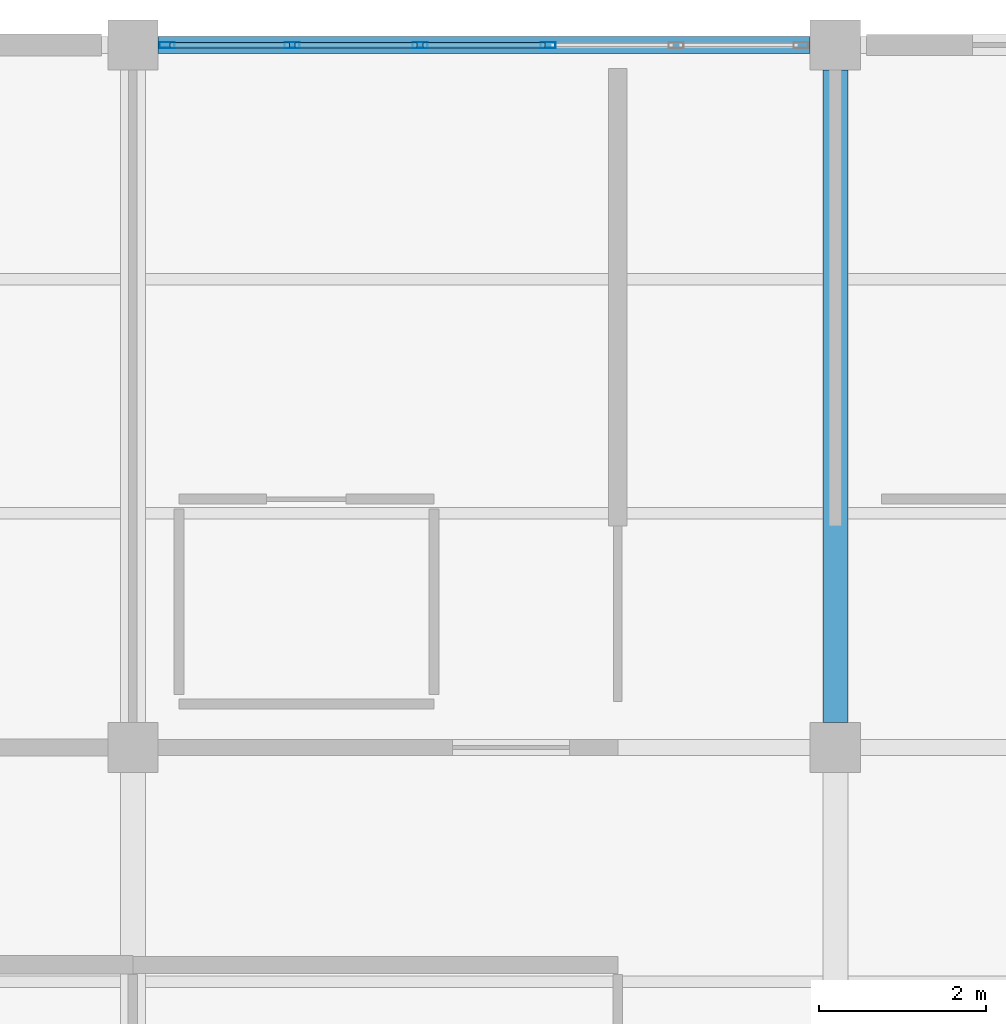
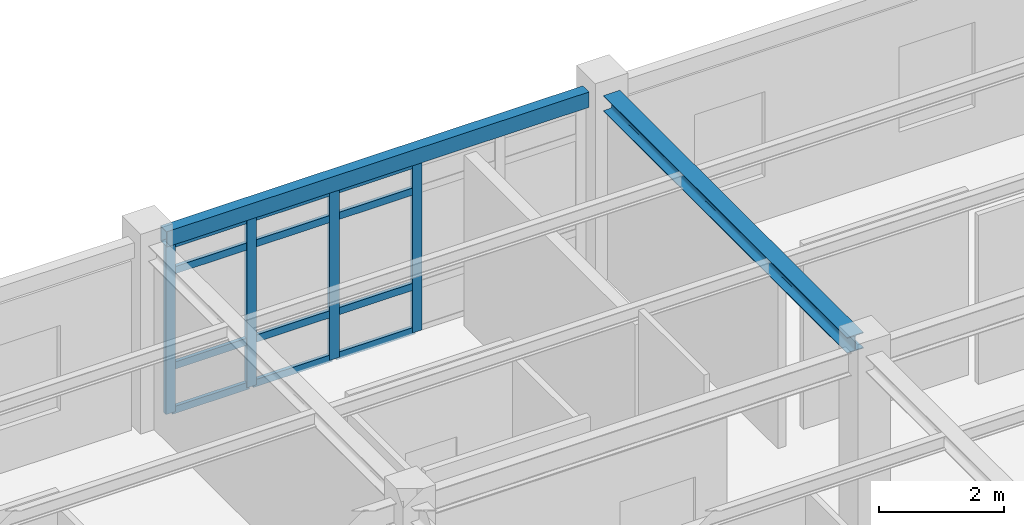
# One storey, part 26 of 70: 16 members, 2 beams, 1 element without a shape of its own.
"""IFC4 building model written with IfcOpenShell, lengths in metres."""

from ifc_helpers import new_model, si_unit, direction, frame, origin, origin_2d, place, context, subcontext, project, spatial, hollow_rectangle, i_section, extrude, material, layer, layer_set, material_profile, profile_set, type_object, element, aggregate, save


model = new_model("IFC4")

# Units and contexts
model_context = context("Model", 3, precision=1e-05, world=origin(), true_north=direction((0.0, 1.0)))
body_context = subcontext(model_context, "Body", "Model", "MODEL_VIEW")
ifc_project = project(units=[si_unit("LENGTHUNIT", "METRE"), si_unit("AREAUNIT", "SQUARE_METRE"), si_unit("VOLUMEUNIT", "CUBIC_METRE"), si_unit("PLANEANGLEUNIT", "RADIAN"), si_unit("MASSUNIT", "GRAM", prefix="KILO")], contexts=[model_context])

# Site, building, storey
site_placement = place(None, origin())
site = spatial("IfcSite", under=ifc_project, at=site_placement, CompositionType="ELEMENT")
building_placement = place(site_placement, origin())
building = spatial("IfcBuilding", under=site, at=building_placement, Name="Bramfleet General Hospital", CompositionType="ELEMENT")
storey_placement = place(building_placement, frame((0.0, 0.0, 22.5)))
storey = spatial("IfcBuildingStorey", under=building, at=storey_placement, Name="L05", CompositionType="ELEMENT", Elevation=22.5)

# Beams
ifc_material_1 = material(Name="Steel S355", Category="steel")
ifc_material_profile_1 = material_profile(ifc_material_1, i_section(OverallWidth=0.300048828125, OverallDepth=0.31005859375, WebThickness=0.009033203125, FlangeThickness=0.015380859375, FilletRadius=0.027099609375, at=origin_2d()), Name="HEA 320")
ifc_profile_set_1 = profile_set([ifc_material_profile_1], Name="Steel S355")
beam_type_1 = type_object("IfcBeamType", Name="BM-HEA320", PredefinedType="BEAM", material=ifc_profile_set_1)
beam_1_placement = place(storey_placement, frame((100.800048828125, 109.5, 3.465087890625), z_axis=(0.0, 1.0, 0.0), x_axis=(-1.0, 0.0, 0.0)))
element("IfcBeam", 1, at=beam_1_placement, inside=storey, type_object=beam_type_1, Name="L05 Grid Beam Y 12-13", PredefinedType="BEAM", context=body_context, shape_type="SweptSolid", body=[
    extrude(i_section(OverallWidth=0.300048828125, OverallDepth=0.31005859375, WebThickness=0.009033203125, FlangeThickness=0.015380859375, FilletRadius=0.027099609375, at=origin_2d()), origin(), (0.0, 0.0, 1.0), 7.800048828125),
])
ifc_material_profile_2 = material_profile(ifc_material_1, hollow_rectangle(XDim=0.199951171875, YDim=0.300048828125, WallThickness=0.012451171875, at=origin_2d()), Name="RHS 300x200x12.5")
ifc_profile_set_2 = profile_set([ifc_material_profile_2], Name="Steel S355")
beam_type_2 = type_object("IfcBeamType", Name="BM-RHS300", PredefinedType="SPANDREL", material=ifc_profile_set_2)
beam_2_placement = place(storey_placement, frame((92.699951171875, 117.60009765625, 3.469970703125), z_axis=(1.0, 0.0, 0.0), x_axis=(0.0, 1.0, 0.0)))
element("IfcBeam", 2, at=beam_2_placement, inside=storey, type_object=beam_type_2, Name="L05 Grid Beam X 11-14", PredefinedType="SPANDREL", context=body_context, shape_type="SweptSolid", body=[
    extrude(hollow_rectangle(XDim=0.199951171875, YDim=0.300048828125, WallThickness=0.012451171875, at=origin_2d()), origin(), (0.0, 0.0, 1.0), 7.800048828125),
])

# Curtain wall, members
ifc_material_2 = material(Name="Anodised aluminium and low-E triple glazing", Category="aluminium")
ifc_layer = layer(ifc_material_2, 0.179931640625, Name="CWT-CW-05")
ifc_layer_set = layer_set([ifc_layer], Name="Anodised aluminium and low-E triple glazing")
curtain_wall_type = type_object("IfcCurtainWallType", Name="CWT-CW-05", PredefinedType="USERDEFINED", material=ifc_layer_set)
curtain_wall_placement = place(storey_placement, origin())
curtain_wall = element("IfcCurtainWall", 3, at=curtain_wall_placement, inside=storey, type_object=curtain_wall_type, Name="L05 Curtain Wall 203", ObjectType="Unitised curtain wall", PredefinedType="USERDEFINED")
ifc_material_3 = material(Name="Anodised aluminium EN AW-6060", Category="aluminium")
ifc_material_profile_3 = material_profile(ifc_material_3, hollow_rectangle(XDim=0.070068359375, YDim=0.179931640625, WallThickness=0.00390625, at=origin_2d()), Name="ALU 180x70x4.0")
ifc_profile_set_3 = profile_set([ifc_material_profile_3], Name="Anodised aluminium EN AW-6060")
member_type_1 = type_object("IfcMemberType", Name="CWM-ALU180", PredefinedType="MULLION", material=ifc_profile_set_3)
member_1_placement = place(storey_placement, frame((92.81005859375, 117.60009765625, 0.0), z_axis=(0.0, 0.0, 1.0), x_axis=(0.0, 1.0, 0.0)))
member_1 = element("IfcMember", 4, at=member_1_placement, type_object=member_type_1, Name="CW-05 mullion 1", PredefinedType="MULLION", context=body_context, shape_type="SweptSolid", body=[
    extrude(hollow_rectangle(XDim=0.070068359375, YDim=0.179931640625, WallThickness=0.00390625, at=origin_2d()), origin(), (0.0, 0.0, 1.0), 3.31005859375),
])
member_2_placement = place(storey_placement, frame((94.304931640625, 117.60009765625, 0.0), z_axis=(0.0, 0.0, 1.0), x_axis=(0.0, 1.0, 0.0)))
member_2 = element("IfcMember", 5, at=member_2_placement, type_object=member_type_1, Name="CW-05 mullion 2", PredefinedType="MULLION", context=body_context, shape_type="SweptSolid", body=[
    extrude(hollow_rectangle(XDim=0.070068359375, YDim=0.179931640625, WallThickness=0.00390625, at=origin_2d()), origin(), (0.0, 0.0, 1.0), 3.31005859375),
])
member_3_placement = place(storey_placement, frame((95.8349609375, 117.60009765625, 0.0), z_axis=(0.0, 0.0, 1.0), x_axis=(0.0, 1.0, 0.0)))
member_3 = element("IfcMember", 6, at=member_3_placement, type_object=member_type_1, Name="CW-05 mullion 3", PredefinedType="MULLION", context=body_context, shape_type="SweptSolid", body=[
    extrude(hollow_rectangle(XDim=0.070068359375, YDim=0.179931640625, WallThickness=0.00390625, at=origin_2d()), origin(), (0.0, 0.0, 1.0), 3.31005859375),
])
member_4_placement = place(storey_placement, frame((97.364990234375, 117.60009765625, 0.0), z_axis=(0.0, 0.0, 1.0), x_axis=(0.0, 1.0, 0.0)))
member_4 = element("IfcMember", 7, at=member_4_placement, type_object=member_type_1, Name="CW-05 mullion 4", PredefinedType="MULLION", context=body_context, shape_type="SweptSolid", body=[
    extrude(hollow_rectangle(XDim=0.070068359375, YDim=0.179931640625, WallThickness=0.00390625, at=origin_2d()), origin(), (0.0, 0.0, 1.0), 3.31005859375),
])
ifc_material_profile_4 = material_profile(ifc_material_3, hollow_rectangle(XDim=0.06494140625, YDim=0.139892578125, WallThickness=0.00390625, at=origin_2d()), Name="ALU 140x65x4.0")
ifc_profile_set_4 = profile_set([ifc_material_profile_4], Name="Anodised aluminium EN AW-6060")
member_type_2 = type_object("IfcMemberType", Name="CWT-ALU140", PredefinedType="USERDEFINED", material=ifc_profile_set_4)
member_5_placement = place(storey_placement, frame((92.844970703125, 117.60009765625, 0.032470703125), z_axis=(1.0, 0.0, 0.0), x_axis=(0.0, 1.0, 0.0)))
member_5 = element("IfcMember", 8, at=member_5_placement, type_object=member_type_2, Name="CW-05 transom 1.1", ObjectType="TRANSOM", PredefinedType="USERDEFINED", context=body_context, shape_type="SweptSolid", body=[
    extrude(hollow_rectangle(XDim=0.06494140625, YDim=0.139892578125, WallThickness=0.00390625, at=origin_2d()), origin(), (0.0, 0.0, 1.0), 1.425048828125),
])
member_6_placement = place(storey_placement, frame((92.844970703125, 117.60009765625, 0.89990234375), z_axis=(1.0, 0.0, 0.0), x_axis=(0.0, 1.0, 0.0)))
member_6 = element("IfcMember", 9, at=member_6_placement, type_object=member_type_2, Name="CW-05 transom 1.2", ObjectType="TRANSOM", PredefinedType="USERDEFINED", context=body_context, shape_type="SweptSolid", body=[
    extrude(hollow_rectangle(XDim=0.06494140625, YDim=0.139892578125, WallThickness=0.00390625, at=origin_2d()), origin(), (0.0, 0.0, 1.0), 1.425048828125),
])
member_7_placement = place(storey_placement, frame((92.844970703125, 117.60009765625, 2.760009765625), z_axis=(1.0, 0.0, 0.0), x_axis=(0.0, 1.0, 0.0)))
member_7 = element("IfcMember", 10, at=member_7_placement, type_object=member_type_2, Name="CW-05 transom 1.3", ObjectType="TRANSOM", PredefinedType="USERDEFINED", context=body_context, shape_type="SweptSolid", body=[
    extrude(hollow_rectangle(XDim=0.06494140625, YDim=0.139892578125, WallThickness=0.00390625, at=origin_2d()), origin(), (0.0, 0.0, 1.0), 1.425048828125),
])
member_8_placement = place(storey_placement, frame((92.844970703125, 117.60009765625, 3.277587890625), z_axis=(1.0, 0.0, 0.0), x_axis=(0.0, 1.0, 0.0)))
member_8 = element("IfcMember", 11, at=member_8_placement, type_object=member_type_2, Name="CW-05 transom 1.4", ObjectType="TRANSOM", PredefinedType="USERDEFINED", context=body_context, shape_type="SweptSolid", body=[
    extrude(hollow_rectangle(XDim=0.06494140625, YDim=0.139892578125, WallThickness=0.00390625, at=origin_2d()), origin(), (0.0, 0.0, 1.0), 1.425048828125),
])
member_9_placement = place(storey_placement, frame((94.340087890625, 117.60009765625, 0.032470703125), z_axis=(1.0, 0.0, 0.0), x_axis=(0.0, 1.0, 0.0)))
member_9 = element("IfcMember", 12, at=member_9_placement, type_object=member_type_2, Name="CW-05 transom 2.1", ObjectType="TRANSOM", PredefinedType="USERDEFINED", context=body_context, shape_type="SweptSolid", body=[
    extrude(hollow_rectangle(XDim=0.06494140625, YDim=0.139892578125, WallThickness=0.00390625, at=origin_2d()), origin(), (0.0, 0.0, 1.0), 1.4599609375),
])
member_10_placement = place(storey_placement, frame((94.340087890625, 117.60009765625, 0.89990234375), z_axis=(1.0, 0.0, 0.0), x_axis=(0.0, 1.0, 0.0)))
member_10 = element("IfcMember", 13, at=member_10_placement, type_object=member_type_2, Name="CW-05 transom 2.2", ObjectType="TRANSOM", PredefinedType="USERDEFINED", context=body_context, shape_type="SweptSolid", body=[
    extrude(hollow_rectangle(XDim=0.06494140625, YDim=0.139892578125, WallThickness=0.00390625, at=origin_2d()), origin(), (0.0, 0.0, 1.0), 1.4599609375),
])
member_11_placement = place(storey_placement, frame((94.340087890625, 117.60009765625, 2.760009765625), z_axis=(1.0, 0.0, 0.0), x_axis=(0.0, 1.0, 0.0)))
member_11 = element("IfcMember", 14, at=member_11_placement, type_object=member_type_2, Name="CW-05 transom 2.3", ObjectType="TRANSOM", PredefinedType="USERDEFINED", context=body_context, shape_type="SweptSolid", body=[
    extrude(hollow_rectangle(XDim=0.06494140625, YDim=0.139892578125, WallThickness=0.00390625, at=origin_2d()), origin(), (0.0, 0.0, 1.0), 1.4599609375),
])
member_12_placement = place(storey_placement, frame((94.340087890625, 117.60009765625, 3.277587890625), z_axis=(1.0, 0.0, 0.0), x_axis=(0.0, 1.0, 0.0)))
member_12 = element("IfcMember", 15, at=member_12_placement, type_object=member_type_2, Name="CW-05 transom 2.4", ObjectType="TRANSOM", PredefinedType="USERDEFINED", context=body_context, shape_type="SweptSolid", body=[
    extrude(hollow_rectangle(XDim=0.06494140625, YDim=0.139892578125, WallThickness=0.00390625, at=origin_2d()), origin(), (0.0, 0.0, 1.0), 1.4599609375),
])
member_13_placement = place(storey_placement, frame((95.8701171875, 117.60009765625, 0.032470703125), z_axis=(1.0, 0.0, 0.0), x_axis=(0.0, 1.0, 0.0)))
member_13 = element("IfcMember", 16, at=member_13_placement, type_object=member_type_2, Name="CW-05 transom 3.1", ObjectType="TRANSOM", PredefinedType="USERDEFINED", context=body_context, shape_type="SweptSolid", body=[
    extrude(hollow_rectangle(XDim=0.06494140625, YDim=0.139892578125, WallThickness=0.00390625, at=origin_2d()), origin(), (0.0, 0.0, 1.0), 1.4599609375),
])
member_14_placement = place(storey_placement, frame((95.8701171875, 117.60009765625, 0.89990234375), z_axis=(1.0, 0.0, 0.0), x_axis=(0.0, 1.0, 0.0)))
member_14 = element("IfcMember", 17, at=member_14_placement, type_object=member_type_2, Name="CW-05 transom 3.2", ObjectType="TRANSOM", PredefinedType="USERDEFINED", context=body_context, shape_type="SweptSolid", body=[
    extrude(hollow_rectangle(XDim=0.06494140625, YDim=0.139892578125, WallThickness=0.00390625, at=origin_2d()), origin(), (0.0, 0.0, 1.0), 1.4599609375),
])
member_15_placement = place(storey_placement, frame((95.8701171875, 117.60009765625, 2.760009765625), z_axis=(1.0, 0.0, 0.0), x_axis=(0.0, 1.0, 0.0)))
member_15 = element("IfcMember", 18, at=member_15_placement, type_object=member_type_2, Name="CW-05 transom 3.3", ObjectType="TRANSOM", PredefinedType="USERDEFINED", context=body_context, shape_type="SweptSolid", body=[
    extrude(hollow_rectangle(XDim=0.06494140625, YDim=0.139892578125, WallThickness=0.00390625, at=origin_2d()), origin(), (0.0, 0.0, 1.0), 1.4599609375),
])
member_16_placement = place(storey_placement, frame((95.8701171875, 117.60009765625, 3.277587890625), z_axis=(1.0, 0.0, 0.0), x_axis=(0.0, 1.0, 0.0)))
member_16 = element("IfcMember", 19, at=member_16_placement, type_object=member_type_2, Name="CW-05 transom 3.4", ObjectType="TRANSOM", PredefinedType="USERDEFINED", context=body_context, shape_type="SweptSolid", body=[
    extrude(hollow_rectangle(XDim=0.06494140625, YDim=0.139892578125, WallThickness=0.00390625, at=origin_2d()), origin(), (0.0, 0.0, 1.0), 1.4599609375),
])
aggregate(curtain_wall, [member_1, member_2, member_3, member_4, member_5, member_6, member_7, member_8, member_9, member_10, member_11, member_12, member_13, member_14, member_15, member_16])

save(model, "model.ifc")
